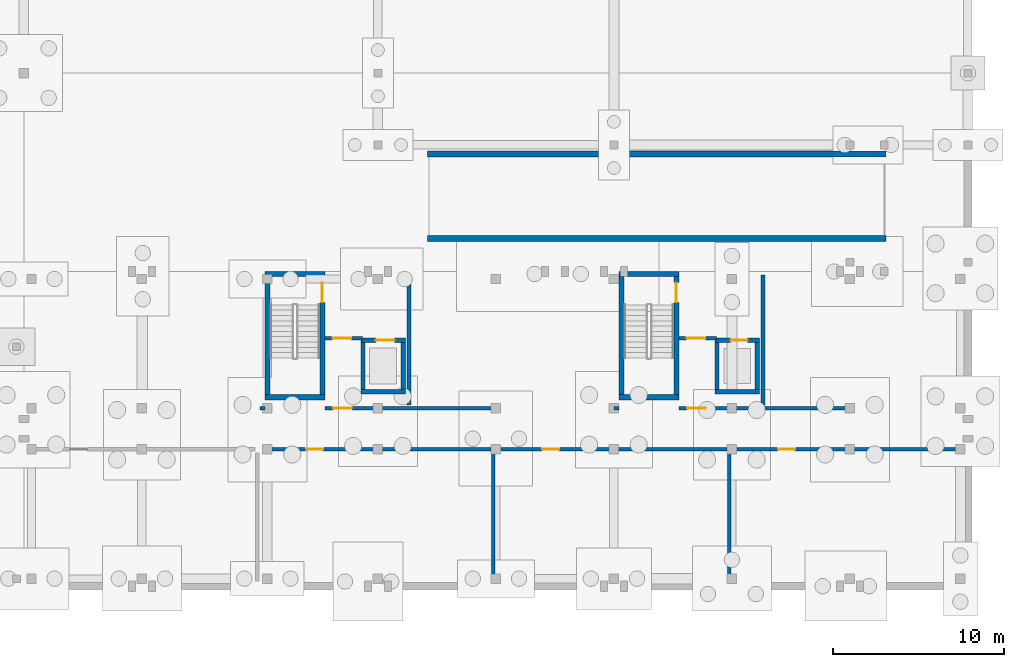
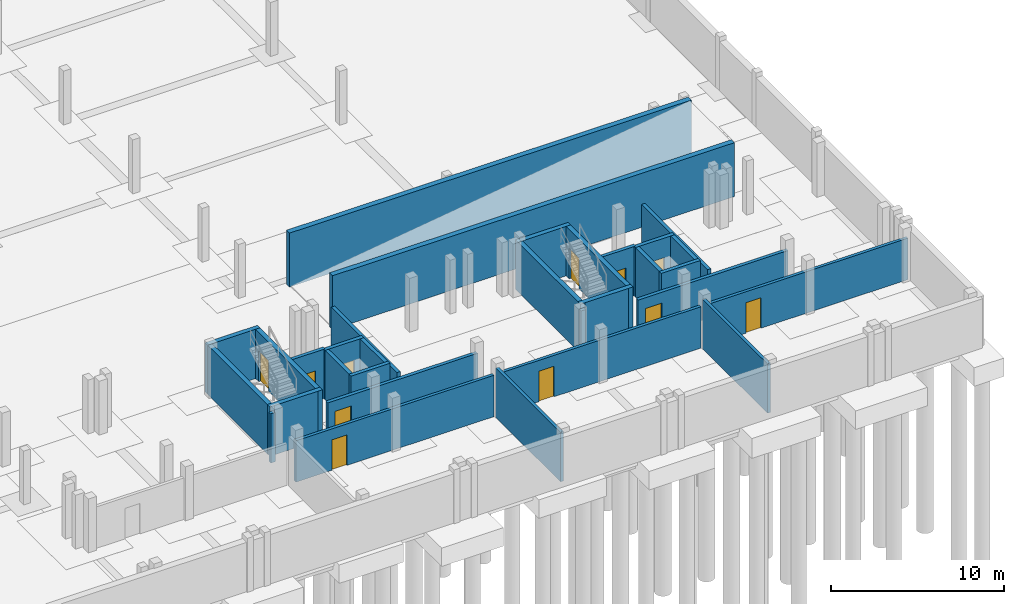
# One storey, part 26 of 38: 31 walls, 11 doors, 11 openings.
"""IFC4 building model written with IfcOpenShell, lengths in metres."""

from ifc_helpers import new_model, si_unit, direction, frame, frame_2d, origin, origin_with_axes, place, context, subcontext, project, spatial, rectangle, extrude, material, layer, layer_set, type_object, element, fill, save


model = new_model("IFC4")

# Units and contexts
model_context = context("Model", 3, precision=1e-05, world=origin(), true_north=direction((0.0, 1.0)))
body_context = subcontext(model_context, "Body", "Model", "MODEL_VIEW")
ifc_project = project(units=[si_unit("LENGTHUNIT", "METRE"), si_unit("AREAUNIT", "SQUARE_METRE"), si_unit("VOLUMEUNIT", "CUBIC_METRE"), si_unit("PLANEANGLEUNIT", "RADIAN"), si_unit("MASSUNIT", "GRAM", prefix="KILO")], contexts=[model_context])

# Site, building, storey
site_placement = place(None, origin())
site = spatial("IfcSite", under=ifc_project, at=site_placement, CompositionType="ELEMENT")
building_placement = place(site_placement, origin())
building = spatial("IfcBuilding", under=site, at=building_placement, Name="Zavelmont Quarter", CompositionType="ELEMENT")
storey_placement = place(building_placement, frame((0.0, 0.0, -3.800048828125)))
storey = spatial("IfcBuildingStorey", under=building, at=storey_placement, Name="B01", CompositionType="ELEMENT", Elevation=-3.800048828125)

# Walls
ifc_material_1 = material(Name="Concrete C35/45", Category="concrete")
ifc_layer_1 = layer(ifc_material_1, 0.35009765625)
ifc_layer_set_1 = layer_set([ifc_layer_1], Name="Concrete C35/45")
wall_type_1 = type_object("IfcWallType", Name="BW02", PredefinedType="STANDARD", material=ifc_layer_set_1)
for number, where, z_axis, x_axis, name in (
    (1, (136.39990234375, 20.320068359375, 0.0), (0.0, 0.0, 1.0), (1.0, 0.0, 0.0), "Basement vehicle ramp VR01 retaining flank wall"),
    (2, (136.39990234375, 25.280029296875, 0.0), (0.0, 0.0, 1.0), (1.0, 0.0, 0.0), "Basement vehicle ramp VR01 retaining flank wall"),
):
    element("IfcWall", number, at=place(storey_placement, frame(where, z_axis=z_axis, x_axis=x_axis)), inside=storey, type_object=wall_type_1, Name=name, PredefinedType="STANDARD", context=body_context, shape_type="SweptSolid", body=[
        extrude(rectangle(XDim=26.800048828125, YDim=0.35009765625, at=frame_2d((13.39990234375, 0.0))), origin(), (0.0, 0.0, 1.0), 3.800048828125),
    ])

# Wall, opening, door
ifc_material_2 = material(Name="Calcium-silicate blockwork and acoustic plaster", Category="masonry")
ifc_layer_2 = layer(ifc_material_2, 0.199951171875)
ifc_layer_set_2 = layer_set([ifc_layer_2], Name="Calcium-silicate blockwork and acoustic plaster")
wall_type_2 = type_object("IfcWallType", Name="IW01", PredefinedType="PARTITIONING", material=ifc_layer_set_2)
wall_1_placement = place(storey_placement, frame((126.89990234375, 8.0, 0.0), z_axis=(0.0, 0.0, 1.0), x_axis=(1.0, 0.0, 0.0)))
wall_1 = element("IfcWall", 3, at=wall_1_placement, inside=storey, type_object=wall_type_2, Name="B01 Basement storage wall IW01", PredefinedType="PARTITIONING", context=body_context, shape_type="SweptSolid", body=[
    extrude(rectangle(XDim=13.2001953125, YDim=0.199951171875, at=frame_2d((6.60009765625, 0.0))), origin(), (0.0, 0.0, 1.0), 2.920166015625),
])
opening_1_placement = place(wall_1_placement, frame((2.39990234375, 0.0, 0.0)))
opening_1 = element("IfcOpeningElement", 4, at=opening_1_placement, cuts=wall_1, Name="Opening DR07", PredefinedType="OPENING", context=body_context, shape_type="SweptSolid", body=[
    extrude(rectangle(XDim=1.0, YDim=2.14990234375, at=frame_2d((0.5, 1.074951171875))), frame((0.0, 0.11181640625, 0.0), z_axis=(0.0, -1.0, 0.0), x_axis=(1.0, 0.0, 0.0)), (0.0, 0.0, 1.0), 0.223876953125),
])
ifc_material_3 = material(Name="Solid-core oak fire leaf in steel frame", Category="steel")
door_type_1 = type_object("IfcDoorType", Name="DR07", OperationType="NOTDEFINED", PredefinedType="DOOR", material=ifc_material_3)
door_1_placement = place(opening_1_placement, origin_with_axes())
door_1 = element("IfcDoor", 5, at=door_1_placement, inside=storey, type_object=door_type_1, Name="B01 door DR07", OperationType="SINGLE_SWING_RIGHT", OverallHeight=2.14990234375, OverallWidth=1.0, PredefinedType="DOOR", context=body_context, shape_type="SweptSolid", body=[
    extrude(rectangle(XDim=1.0, YDim=2.14990234375, at=frame_2d((0.5, 1.074951171875))), frame((0.0, 0.02490234375, 0.0), z_axis=(0.0, -1.0, 0.0), x_axis=(1.0, 0.0, 0.0)), (0.0, 0.0, 1.0), 0.050048828125),
])
fill(opening_1, door_1)

# Wall
wall_2_placement = place(storey_placement, frame((140.25, 0.300048828125, 0.0), z_axis=(0.0, 0.0, 1.0), x_axis=(0.0, 1.0, 0.0)))
element("IfcWall", 6, at=wall_2_placement, inside=storey, type_object=wall_type_2, Name="B01 Interior partition IW01", PredefinedType="PARTITIONING", context=body_context, shape_type="SweptSolid", body=[
    extrude(rectangle(XDim=7.5, YDim=0.199951171875, at=frame_2d((3.75, 0.0))), origin(), (0.0, 0.0, 1.0), 3.47998046875),
])

# Wall, opening, door
wall_3_placement = place(storey_placement, frame((140.699951171875, 8.0, 0.0), z_axis=(0.0, 0.0, 1.0), x_axis=(1.0, 0.0, 0.0)))
wall_3 = element("IfcWall", 7, at=wall_3_placement, inside=storey, type_object=wall_type_2, Name="B01 Basement storage wall IW01", PredefinedType="PARTITIONING", context=body_context, shape_type="SweptSolid", body=[
    extrude(rectangle(XDim=13.199951171875, YDim=0.199951171875, at=frame_2d((6.60009765625, 0.0))), origin(), (0.0, 0.0, 1.0), 2.920166015625),
])
opening_2_placement = place(wall_3_placement, frame((2.39990234375, 0.0, 0.0)))
opening_2 = element("IfcOpeningElement", 8, at=opening_2_placement, cuts=wall_3, Name="Opening DR07", PredefinedType="OPENING", context=body_context, shape_type="SweptSolid", body=[
    extrude(rectangle(XDim=1.0, YDim=2.14990234375, at=frame_2d((0.5, 1.074951171875))), frame((0.0, 0.11181640625, 0.0), z_axis=(0.0, -1.0, 0.0), x_axis=(1.0, 0.0, 0.0)), (0.0, 0.0, 1.0), 0.223876953125),
])
door_2_placement = place(opening_2_placement, frame((1.0, 0.0, 0.0), z_axis=(0.0, 0.0, 1.0), x_axis=(-1.0, 0.0, 0.0)))
door_2 = element("IfcDoor", 9, at=door_2_placement, inside=storey, type_object=door_type_1, Name="B01 door DR07", OperationType="SINGLE_SWING_RIGHT", OverallHeight=2.14990234375, OverallWidth=1.0, PredefinedType="DOOR", context=body_context, shape_type="SweptSolid", body=[
    extrude(rectangle(XDim=1.0, YDim=2.14990234375, at=frame_2d((0.5, 1.074951171875))), frame((0.0, 0.02490234375, 0.0), z_axis=(0.0, -1.0, 0.0), x_axis=(1.0, 0.0, 0.0)), (0.0, 0.0, 1.0), 0.050048828125),
])
fill(opening_2, door_2)

# Wall
wall_4_placement = place(storey_placement, frame((154.050048828125, 0.300048828125, 0.0), z_axis=(0.0, 0.0, 1.0), x_axis=(0.0, 1.0, 0.0)))
element("IfcWall", 10, at=wall_4_placement, inside=storey, type_object=wall_type_2, Name="B01 Interior partition IW01", PredefinedType="PARTITIONING", context=body_context, shape_type="SweptSolid", body=[
    extrude(rectangle(XDim=7.5, YDim=0.199951171875, at=frame_2d((3.75, 0.0))), origin(), (0.0, 0.0, 1.0), 3.47998046875),
])

# Wall, opening, door
wall_5_placement = place(storey_placement, frame((154.5, 8.0, 0.0), z_axis=(0.0, 0.0, 1.0), x_axis=(1.0, 0.0, 0.0)))
wall_5 = element("IfcWall", 11, at=wall_5_placement, inside=storey, type_object=wall_type_2, Name="B01 Basement storage wall IW01", PredefinedType="PARTITIONING", context=body_context, shape_type="SweptSolid", body=[
    extrude(rectangle(XDim=13.199951171875, YDim=0.199951171875, at=frame_2d((6.60009765625, 0.0))), origin(), (0.0, 0.0, 1.0), 2.920166015625),
])
opening_3_placement = place(wall_5_placement, frame((2.39990234375, 0.0, 0.0)))
opening_3 = element("IfcOpeningElement", 12, at=opening_3_placement, cuts=wall_5, Name="Opening DR07", PredefinedType="OPENING", context=body_context, shape_type="SweptSolid", body=[
    extrude(rectangle(XDim=1.0, YDim=2.14990234375, at=frame_2d((0.5, 1.074951171875))), frame((0.0, 0.11181640625, 0.0), z_axis=(0.0, -1.0, 0.0), x_axis=(1.0, 0.0, 0.0)), (0.0, 0.0, 1.0), 0.223876953125),
])
door_3_placement = place(opening_3_placement, origin_with_axes())
door_3 = element("IfcDoor", 13, at=door_3_placement, inside=storey, type_object=door_type_1, Name="B01 door DR07", OperationType="SINGLE_SWING_RIGHT", OverallHeight=2.14990234375, OverallWidth=1.0, PredefinedType="DOOR", context=body_context, shape_type="SweptSolid", body=[
    extrude(rectangle(XDim=1.0, YDim=2.14990234375, at=frame_2d((0.5, 1.074951171875))), frame((0.0, 0.02490234375, 0.0), z_axis=(0.0, -1.0, 0.0), x_axis=(1.0, 0.0, 0.0)), (0.0, 0.0, 1.0), 0.050048828125),
])
fill(opening_3, door_3)

# Wall
ifc_material_4 = material(Name="Reinforced masonry fire compartment wall", Category="masonry")
ifc_layer_3 = layer(ifc_material_4, 0.22509765625)
ifc_layer_set_3 = layer_set([ifc_layer_3], Name="Reinforced masonry fire compartment wall")
wall_type_3 = type_object("IfcWallType", Name="IW02", PredefinedType="PARTITIONING", material=ifc_layer_set_3)
wall_6_placement = place(storey_placement, frame((135.31005859375, 10.60009765625, 0.0), z_axis=(0.0, 0.0, 1.0), x_axis=(0.0, 1.0, 0.0)))
element("IfcWall", 14, at=wall_6_placement, inside=storey, type_object=wall_type_3, Name="B01 Firefighting lobby enclosure wall IW02", PredefinedType="PARTITIONING", context=body_context, shape_type="SweptSolid", body=[
    extrude(rectangle(XDim=7.599853515625, YDim=0.22509765625, at=frame_2d((3.7998046875, 0.0))), origin(), (0.0, 0.0, 1.0), 3.18994140625),
])

# Wall, opening, door
wall_7_placement = place(storey_placement, frame((130.39990234375, 14.5, 0.0), z_axis=(0.0, 0.0, 1.0), x_axis=(1.0, 0.0, 0.0)))
wall_7 = element("IfcWall", 15, at=wall_7_placement, inside=storey, type_object=wall_type_3, Name="B01 Firefighting lobby threshold wall IW02", PredefinedType="PARTITIONING", context=body_context, shape_type="SweptSolid", body=[
    extrude(rectangle(XDim=2.2001953125, YDim=0.22509765625, at=frame_2d((1.10009765625, 0.0))), origin(), (0.0, 0.0, 1.0), 3.47998046875),
])
opening_4_placement = place(wall_7_placement, frame((0.449951171875, 0.0, 0.0)))
opening_4 = element("IfcOpeningElement", 16, at=opening_4_placement, cuts=wall_7, Name="Opening DR10", PredefinedType="OPENING", context=body_context, shape_type="SweptSolid", body=[
    extrude(rectangle(XDim=1.10009765625, YDim=2.14990234375, at=frame_2d((0.550048828125, 1.074951171875))), frame((0.0, 0.12451171875, 0.0), z_axis=(0.0, -1.0, 0.0), x_axis=(1.0, 0.0, 0.0)), (0.0, 0.0, 1.0), 0.2490234375),
])
ifc_material_5 = material(Name="Painted steel lobby fire door", Category="steel")
door_type_2 = type_object("IfcDoorType", Name="DR10", OperationType="NOTDEFINED", PredefinedType="DOOR", material=ifc_material_5)
door_4_placement = place(opening_4_placement, origin_with_axes())
door_4 = element("IfcDoor", 17, at=door_4_placement, inside=storey, type_object=door_type_2, Name="Firefighting lobby fire door", OperationType="SINGLE_SWING_LEFT", OverallHeight=2.14990234375, OverallWidth=1.10009765625, PredefinedType="DOOR", context=body_context, shape_type="SweptSolid", body=[
    extrude(rectangle(XDim=1.10009765625, YDim=2.14990234375, at=frame_2d((0.550048828125, 1.074951171875))), frame((0.0, 0.02490234375, 0.0), z_axis=(0.0, -1.0, 0.0), x_axis=(1.0, 0.0, 0.0)), (0.0, 0.0, 1.0), 0.050048828125),
])
fill(opening_4, door_4)

# Wall
wall_8_placement = place(storey_placement, frame((126.60009765625, 10.39990234375, 0.0), z_axis=(0.0, 0.0, 1.0), x_axis=(1.0, 0.0, 0.0)))
element("IfcWall", 18, at=wall_8_placement, inside=storey, type_object=wall_type_3, Name="B01 Core corridor wall IW02", PredefinedType="PARTITIONING", context=body_context, shape_type="SweptSolid", body=[
    extrude(rectangle(XDim=0.2998046875, YDim=0.22509765625, at=frame_2d((0.14990234375, 0.0))), origin(), (0.0, 0.0, 1.0), 3.47998046875),
])

# Wall, opening, door
wall_9_placement = place(storey_placement, frame((130.39990234375, 10.39990234375, 0.0), z_axis=(0.0, 0.0, 1.0), x_axis=(1.0, 0.0, 0.0)))
wall_9 = element("IfcWall", 19, at=wall_9_placement, inside=storey, type_object=wall_type_3, Name="B01 Core corridor fire wall IW02", PredefinedType="PARTITIONING", context=body_context, shape_type="SweptSolid", body=[
    extrude(rectangle(XDim=10.0, YDim=0.22509765625, at=frame_2d((5.0, 0.0))), origin(), (0.0, 0.0, 1.0), 2.920166015625),
])
opening_5_placement = place(wall_9_placement, frame((0.47509765625, 0.0, 0.0)))
opening_5 = element("IfcOpeningElement", 20, at=opening_5_placement, cuts=wall_9, Name="Opening DR10", PredefinedType="OPENING", context=body_context, shape_type="SweptSolid", body=[
    extrude(rectangle(XDim=1.10009765625, YDim=2.14990234375, at=frame_2d((0.550048828125, 1.074951171875))), frame((0.0, 0.12451171875, 0.0), z_axis=(0.0, -1.0, 0.0), x_axis=(1.0, 0.0, 0.0)), (0.0, 0.0, 1.0), 0.2490234375),
])
door_5_placement = place(opening_5_placement, origin_with_axes())
door_5 = element("IfcDoor", 21, at=door_5_placement, inside=storey, type_object=door_type_2, Name="Core vestibule fire door", OperationType="SINGLE_SWING_RIGHT", OverallHeight=2.14990234375, OverallWidth=1.10009765625, PredefinedType="DOOR", context=body_context, shape_type="SweptSolid", body=[
    extrude(rectangle(XDim=1.10009765625, YDim=2.14990234375, at=frame_2d((0.550048828125, 1.074951171875))), frame((0.0, 0.02490234375, 0.0), z_axis=(0.0, -1.0, 0.0), x_axis=(1.0, 0.0, 0.0)), (0.0, 0.0, 1.0), 0.050048828125),
])
fill(opening_5, door_5)

# Wall
wall_10_placement = place(storey_placement, frame((156.010009765625, 10.60009765625, 0.0), z_axis=(0.0, 0.0, 1.0), x_axis=(0.0, 1.0, 0.0)))
element("IfcWall", 22, at=wall_10_placement, inside=storey, type_object=wall_type_3, Name="B01 Firefighting lobby enclosure wall IW02", PredefinedType="PARTITIONING", context=body_context, shape_type="SweptSolid", body=[
    extrude(rectangle(XDim=7.599853515625, YDim=0.22509765625, at=frame_2d((3.7998046875, 0.0))), origin(), (0.0, 0.0, 1.0), 3.18994140625),
])

# Wall, opening, door
wall_11_placement = place(storey_placement, frame((151.10009765625, 14.5, 0.0), z_axis=(0.0, 0.0, 1.0), x_axis=(1.0, 0.0, 0.0)))
wall_11 = element("IfcWall", 23, at=wall_11_placement, inside=storey, type_object=wall_type_3, Name="B01 Firefighting lobby threshold wall IW02", PredefinedType="PARTITIONING", context=body_context, shape_type="SweptSolid", body=[
    extrude(rectangle(XDim=2.199951171875, YDim=0.22509765625, at=frame_2d((1.10009765625, 0.0))), origin(), (0.0, 0.0, 1.0), 3.47998046875),
])
opening_6_placement = place(wall_11_placement, frame((0.449951171875, 0.0, 0.0)))
opening_6 = element("IfcOpeningElement", 24, at=opening_6_placement, cuts=wall_11, Name="Opening DR10", PredefinedType="OPENING", context=body_context, shape_type="SweptSolid", body=[
    extrude(rectangle(XDim=1.10009765625, YDim=2.14990234375, at=frame_2d((0.550048828125, 1.074951171875))), frame((0.0, 0.12451171875, 0.0), z_axis=(0.0, -1.0, 0.0), x_axis=(1.0, 0.0, 0.0)), (0.0, 0.0, 1.0), 0.2490234375),
])
door_6_placement = place(opening_6_placement, origin_with_axes())
door_6 = element("IfcDoor", 25, at=door_6_placement, inside=storey, type_object=door_type_2, Name="Firefighting lobby fire door", OperationType="SINGLE_SWING_RIGHT", OverallHeight=2.14990234375, OverallWidth=1.10009765625, PredefinedType="DOOR", context=body_context, shape_type="SweptSolid", body=[
    extrude(rectangle(XDim=1.10009765625, YDim=2.14990234375, at=frame_2d((0.550048828125, 1.074951171875))), frame((0.0, 0.02490234375, 0.0), z_axis=(0.0, -1.0, 0.0), x_axis=(1.0, 0.0, 0.0)), (0.0, 0.0, 1.0), 0.050048828125),
])
fill(opening_6, door_6)

# Wall
wall_12_placement = place(storey_placement, frame((147.300048828125, 10.39990234375, 0.0), z_axis=(0.0, 0.0, 1.0), x_axis=(1.0, 0.0, 0.0)))
element("IfcWall", 26, at=wall_12_placement, inside=storey, type_object=wall_type_3, Name="B01 Core corridor wall IW02", PredefinedType="PARTITIONING", context=body_context, shape_type="SweptSolid", body=[
    extrude(rectangle(XDim=0.300048828125, YDim=0.22509765625, at=frame_2d((0.14990234375, 0.0))), origin(), (0.0, 0.0, 1.0), 3.47998046875),
])

# Wall, opening, door
wall_13_placement = place(storey_placement, frame((151.10009765625, 10.39990234375, 0.0), z_axis=(0.0, 0.0, 1.0), x_axis=(1.0, 0.0, 0.0)))
wall_13 = element("IfcWall", 27, at=wall_13_placement, inside=storey, type_object=wall_type_3, Name="B01 Core corridor fire wall IW02", PredefinedType="PARTITIONING", context=body_context, shape_type="SweptSolid", body=[
    extrude(rectangle(XDim=10.0, YDim=0.22509765625, at=frame_2d((5.0, 0.0))), origin(), (0.0, 0.0, 1.0), 2.920166015625),
])
opening_7_placement = place(wall_13_placement, frame((0.47509765625, 0.0, 0.0)))
opening_7 = element("IfcOpeningElement", 28, at=opening_7_placement, cuts=wall_13, Name="Opening DR10", PredefinedType="OPENING", context=body_context, shape_type="SweptSolid", body=[
    extrude(rectangle(XDim=1.10009765625, YDim=2.14990234375, at=frame_2d((0.550048828125, 1.074951171875))), frame((0.0, 0.12451171875, 0.0), z_axis=(0.0, -1.0, 0.0), x_axis=(1.0, 0.0, 0.0)), (0.0, 0.0, 1.0), 0.2490234375),
])
door_7_placement = place(opening_7_placement, origin_with_axes())
door_7 = element("IfcDoor", 29, at=door_7_placement, inside=storey, type_object=door_type_2, Name="Core vestibule fire door", OperationType="SINGLE_SWING_LEFT", OverallHeight=2.14990234375, OverallWidth=1.10009765625, PredefinedType="DOOR", context=body_context, shape_type="SweptSolid", body=[
    extrude(rectangle(XDim=1.10009765625, YDim=2.14990234375, at=frame_2d((0.550048828125, 1.074951171875))), frame((0.0, 0.02490234375, 0.0), z_axis=(0.0, -1.0, 0.0), x_axis=(1.0, 0.0, 0.0)), (0.0, 0.0, 1.0), 0.050048828125),
])
fill(opening_7, door_7)

# Walls
ifc_material_6 = material(Name="Concrete C40/50", Category="concrete")
ifc_layer_4 = layer(ifc_material_6, 0.300048828125)
ifc_layer_set_4 = layer_set([ifc_layer_4], Name="Concrete C40/50")
wall_type_4 = type_object("IfcWallType", Name="SW01", PredefinedType="SHEAR", material=ifc_layer_set_4)
for number, where, z_axis, x_axis, name in (
    (30, (126.89990234375, 18.25, 0.0), (0.0, 0.0, 1.0), (1.0, 0.0, 0.0), "B01 ST07 outer shear wall SW01"),
    (31, (126.89990234375, 11.050048828125, 0.0), (0.0, 0.0, 1.0), (1.0, 0.0, 0.0), "B01 ST07 corridor shear wall SW01"),
):
    element("IfcWall", number, at=place(storey_placement, frame(where, z_axis=z_axis, x_axis=x_axis)), inside=storey, type_object=wall_type_4, Name=name, PredefinedType="SHEAR", context=body_context, shape_type="SweptSolid", body=[
        extrude(rectangle(XDim=3.5, YDim=0.300048828125, at=frame_2d((1.75, 0.0))), origin(), (0.0, 0.0, 1.0), 3.47998046875),
    ])
wall_14_placement = place(storey_placement, frame((127.050048828125, 10.89990234375, 0.0), z_axis=(0.0, 0.0, 1.0), x_axis=(0.0, 1.0, 0.0)))
element("IfcWall", 32, at=wall_14_placement, inside=storey, type_object=wall_type_4, Name="B01 ST07 west shear wall SW01", PredefinedType="SHEAR", context=body_context, shape_type="SweptSolid", body=[
    extrude(rectangle(XDim=7.5, YDim=0.300048828125, at=frame_2d((3.75, 0.0))), origin(), (0.0, 0.0, 1.0), 3.47998046875),
])

# Wall, opening, door
wall_15_placement = place(storey_placement, frame((130.25, 10.89990234375, 0.0), z_axis=(0.0, 0.0, 1.0), x_axis=(0.0, 1.0, 0.0)))
wall_15 = element("IfcWall", 33, at=wall_15_placement, inside=storey, type_object=wall_type_4, Name="B01 ST07 lobby shear wall SW01", PredefinedType="SHEAR", context=body_context, shape_type="SweptSolid", body=[
    extrude(rectangle(XDim=7.5, YDim=0.300048828125, at=frame_2d((3.75, 0.0))), origin(), (0.0, 0.0, 1.0), 3.47998046875),
])
opening_8_placement = place(wall_15_placement, frame((5.699951171875, 0.0, 0.0)))
opening_8 = element("IfcOpeningElement", 34, at=opening_8_placement, cuts=wall_15, Name="Opening DR09", PredefinedType="OPENING", context=body_context, shape_type="SweptSolid", body=[
    extrude(rectangle(XDim=1.14990234375, YDim=2.14990234375, at=frame_2d((0.574951171875, 1.074951171875))), frame((0.0, 0.162109375, 0.0), z_axis=(0.0, -1.0, 0.0), x_axis=(1.0, 0.0, 0.0)), (0.0, 0.0, 1.0), 0.323974609375),
])
ifc_material_7 = material(Name="Painted steel stair-core fire door", Category="steel")
door_type_3 = type_object("IfcDoorType", Name="DR09", OperationType="NOTDEFINED", PredefinedType="DOOR", material=ifc_material_7)
door_8_placement = place(opening_8_placement, origin_with_axes())
door_8 = element("IfcDoor", 35, at=door_8_placement, inside=storey, type_object=door_type_3, Name="ST07 protected stair door", OperationType="SINGLE_SWING_LEFT", OverallHeight=2.14990234375, OverallWidth=1.14990234375, PredefinedType="DOOR", context=body_context, shape_type="SweptSolid", body=[
    extrude(rectangle(XDim=1.14990234375, YDim=2.14990234375, at=frame_2d((0.574951171875, 1.074951171875))), frame((0.0, 0.02490234375, 0.0), z_axis=(0.0, -1.0, 0.0), x_axis=(1.0, 0.0, 0.0)), (0.0, 0.0, 1.0), 0.050048828125),
])
fill(opening_8, door_8)

# Walls
for number, where, z_axis, x_axis, name in (
    (36, (147.60009765625, 18.25, 0.0), (0.0, 0.0, 1.0), (1.0, 0.0, 0.0), "B01 ST08 outer shear wall SW01"),
    (37, (147.60009765625, 11.050048828125, 0.0), (0.0, 0.0, 1.0), (1.0, 0.0, 0.0), "B01 ST08 corridor shear wall SW01"),
):
    element("IfcWall", number, at=place(storey_placement, frame(where, z_axis=z_axis, x_axis=x_axis)), inside=storey, type_object=wall_type_4, Name=name, PredefinedType="SHEAR", context=body_context, shape_type="SweptSolid", body=[
        extrude(rectangle(XDim=3.5, YDim=0.300048828125, at=frame_2d((1.75, 0.0))), origin(), (0.0, 0.0, 1.0), 3.47998046875),
    ])
wall_16_placement = place(storey_placement, frame((147.75, 10.89990234375, 0.0), z_axis=(0.0, 0.0, 1.0), x_axis=(0.0, 1.0, 0.0)))
element("IfcWall", 38, at=wall_16_placement, inside=storey, type_object=wall_type_4, Name="B01 ST08 west shear wall SW01", PredefinedType="SHEAR", context=body_context, shape_type="SweptSolid", body=[
    extrude(rectangle(XDim=7.5, YDim=0.300048828125, at=frame_2d((3.75, 0.0))), origin(), (0.0, 0.0, 1.0), 3.47998046875),
])

# Wall, opening, door
wall_17_placement = place(storey_placement, frame((150.949951171875, 10.89990234375, 0.0), z_axis=(0.0, 0.0, 1.0), x_axis=(0.0, 1.0, 0.0)))
wall_17 = element("IfcWall", 39, at=wall_17_placement, inside=storey, type_object=wall_type_4, Name="B01 ST08 lobby shear wall SW01", PredefinedType="SHEAR", context=body_context, shape_type="SweptSolid", body=[
    extrude(rectangle(XDim=7.5, YDim=0.300048828125, at=frame_2d((3.75, 0.0))), origin(), (0.0, 0.0, 1.0), 3.47998046875),
])
opening_9_placement = place(wall_17_placement, frame((5.699951171875, 0.0, 0.0)))
opening_9 = element("IfcOpeningElement", 40, at=opening_9_placement, cuts=wall_17, Name="Opening DR09", PredefinedType="OPENING", context=body_context, shape_type="SweptSolid", body=[
    extrude(rectangle(XDim=1.14990234375, YDim=2.14990234375, at=frame_2d((0.574951171875, 1.074951171875))), frame((0.0, 0.162109375, 0.0), z_axis=(0.0, -1.0, 0.0), x_axis=(1.0, 0.0, 0.0)), (0.0, 0.0, 1.0), 0.323974609375),
])
door_9_placement = place(opening_9_placement, origin_with_axes())
door_9 = element("IfcDoor", 41, at=door_9_placement, inside=storey, type_object=door_type_3, Name="ST08 protected stair door", OperationType="SINGLE_SWING_LEFT", OverallHeight=2.14990234375, OverallWidth=1.14990234375, PredefinedType="DOOR", context=body_context, shape_type="SweptSolid", body=[
    extrude(rectangle(XDim=1.14990234375, YDim=2.14990234375, at=frame_2d((0.574951171875, 1.074951171875))), frame((0.0, 0.02490234375, 0.0), z_axis=(0.0, -1.0, 0.0), x_axis=(1.0, 0.0, 0.0)), (0.0, 0.0, 1.0), 0.050048828125),
])
fill(opening_9, door_9)

ifc_layer_5 = layer(ifc_material_6, 0.25)
ifc_layer_set_5 = layer_set([ifc_layer_5], Name="Concrete C40/50")
wall_type_5 = type_object("IfcWallType", Name="SW02", PredefinedType="SHEAR", material=ifc_layer_set_5)
wall_18_placement = place(storey_placement, frame((132.5, 14.375, 0.0), z_axis=(0.0, 0.0, 1.0), x_axis=(1.0, 0.0, 0.0)))
wall_18 = element("IfcWall", 42, at=wall_18_placement, inside=storey, type_object=wall_type_5, Name="B01 Lift FL04 landing shaft wall SW02", PredefinedType="SHEAR", context=body_context, shape_type="SweptSolid", body=[
    extrude(rectangle(XDim=2.60009765625, YDim=0.25, at=frame_2d((1.300048828125, 0.0))), origin(), (0.0, 0.0, 1.0), 3.47998046875),
])
opening_10_placement = place(wall_18_placement, frame((0.875, 0.0, 0.0)))
opening_10 = element("IfcOpeningElement", 43, at=opening_10_placement, cuts=wall_18, Name="Opening LD02", PredefinedType="OPENING", context=body_context, shape_type="SweptSolid", body=[
    extrude(rectangle(XDim=1.10009765625, YDim=2.10009765625, at=frame_2d((0.550048828125, 1.050048828125))), frame((0.0, 0.136962890625, 0.0), z_axis=(0.0, -1.0, 0.0), x_axis=(1.0, 0.0, 0.0)), (0.0, 0.0, 1.0), 0.27392578125),
])
ifc_material_8 = material(Name="Brushed stainless-steel firefighting lift landing door", Category="steel")
door_type_4 = type_object("IfcDoorType", Name="LD02", OperationType="SLIDING_TO_LEFT", PredefinedType="DOOR", material=ifc_material_8)
door_10_placement = place(opening_10_placement, origin_with_axes())
door_10 = element("IfcDoor", 44, at=door_10_placement, inside=storey, type_object=door_type_4, Name="Lift FL04 sliding landing door", OperationType="SLIDING_TO_LEFT", OverallHeight=2.10009765625, OverallWidth=1.10009765625, PredefinedType="DOOR", context=body_context, shape_type="SweptSolid", body=[
    extrude(rectangle(XDim=1.10009765625, YDim=2.10009765625, at=frame_2d((0.550048828125, 1.050048828125))), frame((0.0, 0.02490234375, 0.0), z_axis=(0.0, -1.0, 0.0), x_axis=(1.0, 0.0, 0.0)), (0.0, 0.0, 1.0), 0.050048828125),
])
fill(opening_10, door_10)

# Walls
wall_19_placement = place(storey_placement, frame((132.5, 11.375, 0.0), z_axis=(0.0, 0.0, 1.0), x_axis=(1.0, 0.0, 0.0)))
element("IfcWall", 45, at=wall_19_placement, inside=storey, type_object=wall_type_5, Name="B01 Lift FL04 back shaft wall SW02", PredefinedType="SHEAR", context=body_context, shape_type="SweptSolid", body=[
    extrude(rectangle(XDim=2.60009765625, YDim=0.25, at=frame_2d((1.300048828125, 0.0))), origin(), (0.0, 0.0, 1.0), 3.47998046875),
])
for number, where, z_axis, x_axis, name in (
    (46, (132.625, 11.25, 0.0), (0.0, 0.0, 1.0), (0.0, 1.0, 0.0), "B01 Lift FL04 west shaft wall SW02"),
    (47, (134.97509765625, 11.25, 0.0), (0.0, 0.0, 1.0), (0.0, 1.0, 0.0), "B01 Lift FL04 east shaft wall SW02"),
):
    element("IfcWall", number, at=place(storey_placement, frame(where, z_axis=z_axis, x_axis=x_axis)), inside=storey, type_object=wall_type_5, Name=name, PredefinedType="SHEAR", context=body_context, shape_type="SweptSolid", body=[
        extrude(rectangle(XDim=3.25, YDim=0.25, at=frame_2d((1.625, 0.0))), origin(), (0.0, 0.0, 1.0), 3.47998046875),
    ])

# Wall, opening, door
wall_20_placement = place(storey_placement, frame((153.199951171875, 14.375, 0.0), z_axis=(0.0, 0.0, 1.0), x_axis=(1.0, 0.0, 0.0)))
wall_20 = element("IfcWall", 48, at=wall_20_placement, inside=storey, type_object=wall_type_5, Name="B01 Lift LF08 landing shaft wall SW02", PredefinedType="SHEAR", context=body_context, shape_type="SweptSolid", body=[
    extrude(rectangle(XDim=2.60009765625, YDim=0.25, at=frame_2d((1.300048828125, 0.0))), origin(), (0.0, 0.0, 1.0), 3.47998046875),
])
opening_11_placement = place(wall_20_placement, frame((0.925048828125, 0.0, 0.0)))
opening_11 = element("IfcOpeningElement", 49, at=opening_11_placement, cuts=wall_20, Name="Opening LD01", PredefinedType="OPENING", context=body_context, shape_type="SweptSolid", body=[
    extrude(rectangle(XDim=1.0, YDim=2.10009765625, at=frame_2d((0.5, 1.050048828125))), frame((0.0, 0.136962890625, 0.0), z_axis=(0.0, -1.0, 0.0), x_axis=(1.0, 0.0, 0.0)), (0.0, 0.0, 1.0), 0.27392578125),
])
ifc_material_9 = material(Name="Brushed stainless-steel automatic sliding landing door", Category="steel")
door_type_5 = type_object("IfcDoorType", Name="LD01", OperationType="SLIDING_TO_LEFT", PredefinedType="DOOR", material=ifc_material_9)
door_11_placement = place(opening_11_placement, origin_with_axes())
door_11 = element("IfcDoor", 50, at=door_11_placement, inside=storey, type_object=door_type_5, Name="Lift LF08 sliding landing door", OperationType="SLIDING_TO_LEFT", OverallHeight=2.10009765625, OverallWidth=1.0, PredefinedType="DOOR", context=body_context, shape_type="SweptSolid", body=[
    extrude(rectangle(XDim=1.0, YDim=2.10009765625, at=frame_2d((0.5, 1.050048828125))), frame((0.0, 0.02490234375, 0.0), z_axis=(0.0, -1.0, 0.0), x_axis=(1.0, 0.0, 0.0)), (0.0, 0.0, 1.0), 0.050048828125),
])
fill(opening_11, door_11)

# Walls
wall_21_placement = place(storey_placement, frame((153.199951171875, 11.375, 0.0), z_axis=(0.0, 0.0, 1.0), x_axis=(1.0, 0.0, 0.0)))
element("IfcWall", 51, at=wall_21_placement, inside=storey, type_object=wall_type_5, Name="B01 Lift LF08 back shaft wall SW02", PredefinedType="SHEAR", context=body_context, shape_type="SweptSolid", body=[
    extrude(rectangle(XDim=2.60009765625, YDim=0.25, at=frame_2d((1.300048828125, 0.0))), origin(), (0.0, 0.0, 1.0), 3.47998046875),
])
for number, where, z_axis, x_axis, name in (
    (52, (153.324951171875, 11.25, 0.0), (0.0, 0.0, 1.0), (0.0, 1.0, 0.0), "B01 Lift LF08 west shaft wall SW02"),
    (53, (155.675048828125, 11.25, 0.0), (0.0, 0.0, 1.0), (0.0, 1.0, 0.0), "B01 Lift LF08 east shaft wall SW02"),
):
    element("IfcWall", number, at=place(storey_placement, frame(where, z_axis=z_axis, x_axis=x_axis)), inside=storey, type_object=wall_type_5, Name=name, PredefinedType="SHEAR", context=body_context, shape_type="SweptSolid", body=[
        extrude(rectangle(XDim=3.25, YDim=0.25, at=frame_2d((1.625, 0.0))), origin(), (0.0, 0.0, 1.0), 3.47998046875),
    ])

save(model, "model.ifc")
